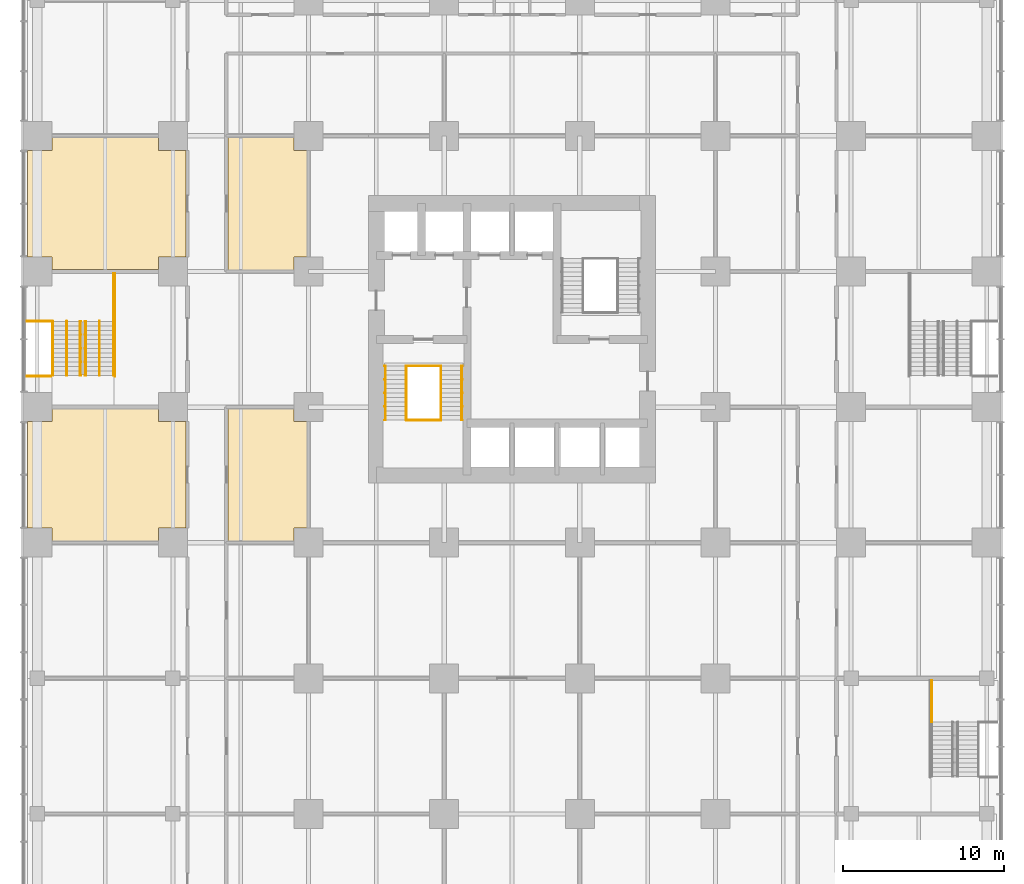
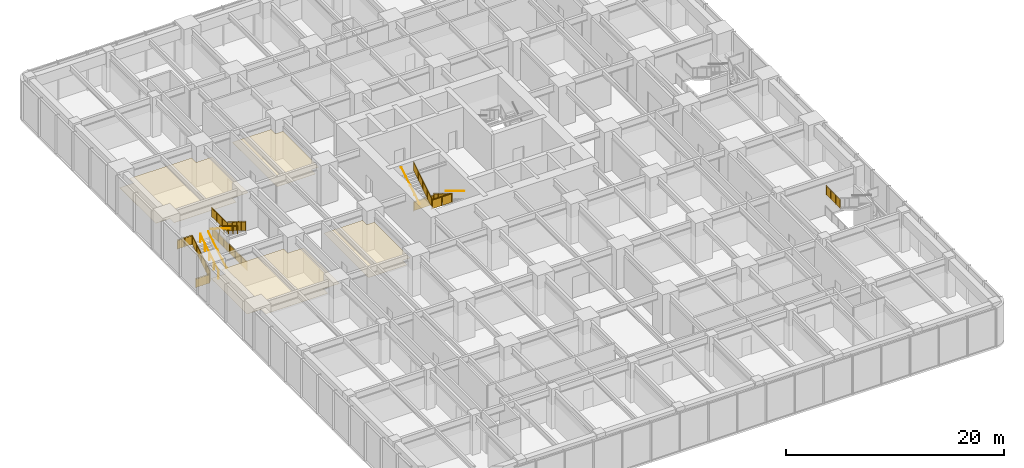
# One storey, part 17 of 19: 17 railings, 4 coverings.
"""IFC4 building model written with IfcOpenShell, lengths in metres."""

from ifc_helpers import new_model, si_unit, direction, frame, origin, origin_2d, place, context, subcontext, project, spatial, polyline, circle, outline, extrude, material, layer, layer_set, type_object, element, save


model = new_model("IFC4")

# Units and contexts
model_context = context("Model", 3, precision=1e-05, world=origin(), true_north=direction((0.0, 1.0)))
body_context = subcontext(model_context, "Body", "Model", "MODEL_VIEW")
ifc_project = project(units=[si_unit("LENGTHUNIT", "METRE"), si_unit("AREAUNIT", "SQUARE_METRE"), si_unit("VOLUMEUNIT", "CUBIC_METRE"), si_unit("PLANEANGLEUNIT", "RADIAN"), si_unit("MASSUNIT", "GRAM", prefix="KILO")], contexts=[model_context])

# Site, building, storey
site_placement = place(None, origin())
site = spatial("IfcSite", under=ifc_project, at=site_placement, CompositionType="ELEMENT")
building_placement = place(site_placement, origin())
building = spatial("IfcBuilding", under=site, at=building_placement, Name="Torre Alcanfor", CompositionType="ELEMENT")
storey_placement = place(building_placement, frame((0.0, 0.0, 6.0)))
storey = spatial("IfcBuildingStorey", under=building, at=storey_placement, Name="L01", CompositionType="ELEMENT", Elevation=6.0)

# Coverings
ifc_material_1 = material(Name="Mineral fibre acoustic tile 20 mm, NRC 0.70, on exposed suspension grid", Category="mineral fibre")
ifc_layer = layer(ifc_material_1, 0.02001953125)
ifc_layer_set = layer_set([ifc_layer], Name="Acoustic suspended ceiling 600x600 mineral fibre tile")
covering_type = type_object("IfcCoveringType", Name="Acoustic suspended ceiling 600x600 mineral fibre tile", PredefinedType="CEILING", material=ifc_layer_set)
covering_1_placement = place(storey_placement, frame((0.0, 0.0, 2.75)))
element("IfcCovering", 1, at=covering_1_placement, inside=storey, type_object=covering_type, Name="Ceiling L01-14", PredefinedType="CEILING", context=body_context, shape_type="SweptSolid", body=[
    extrude(outline(polyline([(0.89990234375, 25.074951171875), (0.89990234375, 24.300048828125), (-0.625, 24.300048828125), (-0.625, 17.699951171875), (0.89990234375, 17.699951171875), (0.89990234375, 16.875), (7.5, 16.875), (7.5, 17.699951171875), (9.199951171875, 17.699951171875), (9.199951171875, 24.300048828125), (7.5, 24.300048828125), (7.5, 25.074951171875), (0.89990234375, 25.074951171875)])), origin(), (0.0, 0.0, 1.0), 0.02001953125),
])
covering_2_placement = place(storey_placement, frame((0.0, 0.0, 2.75)))
element("IfcCovering", 2, at=covering_2_placement, inside=storey, type_object=covering_type, Name="Ceiling L01-16", PredefinedType="CEILING", context=body_context, shape_type="SweptSolid", body=[
    extrude(outline(polyline([(0.89990234375, 41.925048828125), (0.89990234375, 41.10009765625), (-0.625, 41.10009765625), (-0.625, 34.5), (0.89990234375, 34.5), (0.89990234375, 33.72509765625), (7.5, 33.72509765625), (7.5, 34.5), (9.199951171875, 34.5), (9.199951171875, 41.10009765625), (7.5, 41.10009765625), (7.5, 41.925048828125), (0.89990234375, 41.925048828125)])), origin(), (0.0, 0.0, 1.0), 0.02001953125),
])
covering_3_placement = place(storey_placement, frame((0.0, 0.0, 3.0)))
element("IfcCovering", 3, at=covering_3_placement, inside=storey, type_object=covering_type, Name="Ceiling L01-I08", PredefinedType="CEILING", context=body_context, shape_type="SweptSolid", body=[
    extrude(outline(polyline([(16.699951171875, 24.300048828125), (15.89990234375, 24.300048828125), (15.89990234375, 25.10009765625), (11.800048828125, 25.10009765625), (11.800048828125, 16.875), (15.89990234375, 16.875), (15.89990234375, 17.699951171875), (16.699951171875, 17.699951171875), (16.699951171875, 24.300048828125)])), origin(), (0.0, 0.0, 1.0), 0.02001953125),
])
covering_4_placement = place(storey_placement, frame((0.0, 0.0, 3.0)))
element("IfcCovering", 4, at=covering_4_placement, inside=storey, type_object=covering_type, Name="Ceiling L01-I10", PredefinedType="CEILING", context=body_context, shape_type="SweptSolid", body=[
    extrude(outline(polyline([(15.89990234375, 33.699951171875), (15.89990234375, 34.5), (16.699951171875, 34.5), (16.699951171875, 41.10009765625), (15.89990234375, 41.10009765625), (15.89990234375, 41.925048828125), (11.800048828125, 41.925048828125), (11.800048828125, 33.699951171875), (15.89990234375, 33.699951171875)])), origin(), (0.0, 0.0, 1.0), 0.02001953125),
])

# Railings
ifc_material_2 = material(Name="Steel ASTM A500 Grade C hollow sections", Category="steel")
railing_type_1 = type_object("IfcRailingType", Name="Stair guard and handrail 1100", PredefinedType="GUARDRAIL", material=ifc_material_2)
railing_1_placement = place(storey_placement, frame((25.0, 27.75, 0.173095703125)))
element("IfcRailing", 5, at=railing_1_placement, inside=storey, type_object=railing_type_1, Name="Stair guard S1 L01 flight 1", PredefinedType="GUARDRAIL", context=body_context, shape_type="SweptSolid", body=[
    extrude(circle(Radius=0.02392578125, at=origin_2d()), frame((0.0, 0.0, 1.076171875), z_axis=(0.0, -0.850623216509, 0.525775754039), x_axis=(1.0, 0.0, 0.0)), (0.0, 0.0, 1.0), 3.9501953125),
    extrude(circle(Radius=0.02099609375, at=origin_2d()), origin(), (0.0, 0.0, 1.0), 1.052001953125),
    extrude(circle(Radius=0.02099609375, at=origin_2d()), frame((0.0, -0.840087890625, 0.519287109375)), (0.0, 0.0, 1.0), 1.052001953125),
    extrude(circle(Radius=0.02099609375, at=origin_2d()), frame((0.0, -1.68017578125, 1.03857421875)), (0.0, 0.0, 1.0), 1.052001953125),
    extrude(circle(Radius=0.02099609375, at=origin_2d()), frame((0.0, -2.52001953125, 1.5576171875)), (0.0, 0.0, 1.0), 1.052001953125),
    extrude(circle(Radius=0.02099609375, at=origin_2d()), frame((0.0, -3.360107421875, 2.076904296875)), (0.0, 0.0, 1.0), 1.052001953125),
    extrude(outline(polyline([(0.041015625, 0.075439453125), (0.799072265625, 0.5439453125), (0.799072265625, 1.495849609375), (0.041015625, 1.02734375), (0.041015625, 0.075439453125)])), frame((0.005859375, 0.0, 0.0), z_axis=(-1.0, 0.0, 0.0), x_axis=(0.0, -1.0, 0.0)), (0.0, 0.0, 1.0), 0.011962890625),
    extrude(outline(polyline([(0.881103515625, 0.594482421875), (1.63916015625, 1.06298828125), (1.63916015625, 2.01513671875), (0.881103515625, 1.546630859375), (0.881103515625, 0.594482421875)])), frame((0.005859375, 0.0, 0.0), z_axis=(-1.0, 0.0, 0.0), x_axis=(0.0, -1.0, 0.0)), (0.0, 0.0, 1.0), 0.011962890625),
    extrude(outline(polyline([(1.720947265625, 1.11376953125), (2.47900390625, 1.582275390625), (2.47900390625, 2.534423828125), (1.720947265625, 2.065673828125), (1.720947265625, 1.11376953125)])), frame((0.005859375, 0.0, 0.0), z_axis=(-1.0, 0.0, 0.0), x_axis=(0.0, -1.0, 0.0)), (0.0, 0.0, 1.0), 0.011962890625),
    extrude(outline(polyline([(2.56103515625, 1.633056640625), (3.319091796875, 2.1015625), (3.319091796875, 3.053466796875), (2.56103515625, 2.5849609375), (2.56103515625, 1.633056640625)])), frame((0.005859375, 0.0, 0.0), z_axis=(-1.0, 0.0, 0.0), x_axis=(0.0, -1.0, 0.0)), (0.0, 0.0, 1.0), 0.011962890625),
])
railing_2_placement = place(storey_placement, frame((22.85009765625, 24.389892578125, 2.423095703125)))
element("IfcRailing", 6, at=railing_2_placement, inside=storey, type_object=railing_type_1, Name="Stair guard S1 L01 flight 2", PredefinedType="GUARDRAIL", context=body_context, shape_type="SweptSolid", body=[
    extrude(circle(Radius=0.02392578125, at=origin_2d()), frame((0.0, 0.0, 1.076171875), z_axis=(0.0, 0.850623216509, 0.525775754039), x_axis=(-1.0, 0.0, 0.0)), (0.0, 0.0, 1.0), 3.9501953125),
    extrude(circle(Radius=0.02099609375, at=origin_2d()), origin(), (0.0, 0.0, 1.0), 1.052001953125),
    extrude(circle(Radius=0.02099609375, at=origin_2d()), frame((0.0, 0.840087890625, 0.519287109375)), (0.0, 0.0, 1.0), 1.052001953125),
    extrude(circle(Radius=0.02099609375, at=origin_2d()), frame((0.0, 1.68017578125, 1.03857421875)), (0.0, 0.0, 1.0), 1.052001953125),
    extrude(circle(Radius=0.02099609375, at=origin_2d()), frame((0.0, 2.52001953125, 1.5576171875)), (0.0, 0.0, 1.0), 1.052001953125),
    extrude(circle(Radius=0.02099609375, at=origin_2d()), frame((0.0, 3.360107421875, 2.076904296875)), (0.0, 0.0, 1.0), 1.052001953125),
    extrude(outline(polyline([(0.041015625, 0.075439453125), (0.799072265625, 0.5439453125), (0.799072265625, 1.495849609375), (0.041015625, 1.02734375), (0.041015625, 0.075439453125)])), frame((-0.005859375, 0.0, 0.0), z_axis=(1.0, 0.0, 0.0), x_axis=(0.0, 1.0, 0.0)), (0.0, 0.0, 1.0), 0.011962890625),
    extrude(outline(polyline([(0.881103515625, 0.594482421875), (1.63916015625, 1.06298828125), (1.63916015625, 2.01513671875), (0.881103515625, 1.546630859375), (0.881103515625, 0.594482421875)])), frame((-0.005859375, 0.0, 0.0), z_axis=(1.0, 0.0, 0.0), x_axis=(0.0, 1.0, 0.0)), (0.0, 0.0, 1.0), 0.011962890625),
    extrude(outline(polyline([(1.720947265625, 1.11376953125), (2.47900390625, 1.582275390625), (2.47900390625, 2.534423828125), (1.720947265625, 2.065673828125), (1.720947265625, 1.11376953125)])), frame((-0.005859375, 0.0, 0.0), z_axis=(1.0, 0.0, 0.0), x_axis=(0.0, 1.0, 0.0)), (0.0, 0.0, 1.0), 0.011962890625),
    extrude(outline(polyline([(2.56103515625, 1.633056640625), (3.319091796875, 2.1015625), (3.319091796875, 3.053466796875), (2.56103515625, 2.5849609375), (2.56103515625, 1.633056640625)])), frame((-0.005859375, 0.0, 0.0), z_axis=(1.0, 0.0, 0.0), x_axis=(0.0, 1.0, 0.0)), (0.0, 0.0, 1.0), 0.011962890625),
])
for number, where, name in (
    (7, (22.85009765625, 27.75, 0.0), "Stair well guard S1 L01 floor landing"),
    (8, (22.85009765625, 24.389892578125, 2.25), "Stair well guard S1 L01 half landing"),
):
    element("IfcRailing", number, at=place(storey_placement, frame(where)), inside=storey, type_object=railing_type_1, Name=name, PredefinedType="GUARDRAIL", context=body_context, shape_type="SweptSolid", body=[
        extrude(circle(Radius=0.02392578125, at=origin_2d()), frame((0.0, 0.0, 1.076171875), z_axis=(1.0, 0.0, 0.0), x_axis=(0.0, 1.0, 0.0)), (0.0, 0.0, 1.0), 2.14990234375),
        extrude(circle(Radius=0.02099609375, at=origin_2d()), origin(), (0.0, 0.0, 1.0), 1.052001953125),
        extrude(circle(Radius=0.02099609375, at=origin_2d()), frame((1.074951171875, 0.0, 0.0)), (0.0, 0.0, 1.0), 1.052001953125),
        extrude(circle(Radius=0.02099609375, at=origin_2d()), frame((2.14990234375, 0.0, 0.0)), (0.0, 0.0, 1.0), 1.052001953125),
        extrude(outline(polyline([(0.041015625, 0.050048828125), (1.033935546875, 0.050048828125), (1.033935546875, 1.001953125), (0.041015625, 1.001953125), (0.041015625, 0.050048828125)])), frame((0.0, 0.005859375, 0.0), z_axis=(0.0, -1.0, 0.0), x_axis=(1.0, 0.0, 0.0)), (0.0, 0.0, 1.0), 0.011962890625),
        extrude(outline(polyline([(1.115966796875, 0.050048828125), (2.10888671875, 0.050048828125), (2.10888671875, 1.001953125), (1.115966796875, 1.001953125), (1.115966796875, 0.050048828125)])), frame((0.0, 0.005859375, 0.0), z_axis=(0.0, -1.0, 0.0), x_axis=(1.0, 0.0, 0.0)), (0.0, 0.0, 1.0), 0.011962890625),
    ])
railing_3_placement = place(storey_placement, frame((4.81005859375, 27.10498046875, 0.0)))
element("IfcRailing", 9, at=railing_3_placement, inside=storey, type_object=railing_type_1, Name="Stair well guard SS1 L01 door side", PredefinedType="GUARDRAIL", context=body_context, shape_type="SweptSolid", body=[
    extrude(circle(Radius=0.02392578125, at=origin_2d()), frame((0.0, 0.0, 1.076171875), z_axis=(0.0, 1.0, 0.0), x_axis=(-1.0, 0.0, 0.0)), (0.0, 0.0, 1.0), 6.360107421875),
    extrude(circle(Radius=0.02099609375, at=origin_2d()), origin(), (0.0, 0.0, 1.0), 1.052001953125),
    extrude(circle(Radius=0.02099609375, at=origin_2d()), frame((0.0, 1.06005859375, 0.0)), (0.0, 0.0, 1.0), 1.052001953125),
    extrude(circle(Radius=0.02099609375, at=origin_2d()), frame((0.0, 2.1201171875, 0.0)), (0.0, 0.0, 1.0), 1.052001953125),
    extrude(circle(Radius=0.02099609375, at=origin_2d()), frame((0.0, 3.18017578125, 0.0)), (0.0, 0.0, 1.0), 1.052001953125),
    extrude(circle(Radius=0.02099609375, at=origin_2d()), frame((0.0, 4.239990234375, 0.0)), (0.0, 0.0, 1.0), 1.052001953125),
    extrude(circle(Radius=0.02099609375, at=origin_2d()), frame((0.0, 5.300048828125, 0.0)), (0.0, 0.0, 1.0), 1.052001953125),
    extrude(circle(Radius=0.02099609375, at=origin_2d()), frame((0.0, 6.360107421875, 0.0)), (0.0, 0.0, 1.0), 1.052001953125),
    extrude(outline(polyline([(0.041015625, 0.050048828125), (1.01904296875, 0.050048828125), (1.01904296875, 1.001953125), (0.041015625, 1.001953125), (0.041015625, 0.050048828125)])), frame((-0.005859375, 0.0, 0.0), z_axis=(1.0, 0.0, 0.0), x_axis=(0.0, 1.0, 0.0)), (0.0, 0.0, 1.0), 0.011962890625),
    extrude(outline(polyline([(1.10107421875, 0.050048828125), (2.0791015625, 0.050048828125), (2.0791015625, 1.001953125), (1.10107421875, 1.001953125), (1.10107421875, 0.050048828125)])), frame((-0.005859375, 0.0, 0.0), z_axis=(1.0, 0.0, 0.0), x_axis=(0.0, 1.0, 0.0)), (0.0, 0.0, 1.0), 0.011962890625),
    extrude(outline(polyline([(2.1611328125, 0.050048828125), (3.13916015625, 0.050048828125), (3.13916015625, 1.001953125), (2.1611328125, 1.001953125), (2.1611328125, 0.050048828125)])), frame((-0.005859375, 0.0, 0.0), z_axis=(1.0, 0.0, 0.0), x_axis=(0.0, 1.0, 0.0)), (0.0, 0.0, 1.0), 0.011962890625),
    extrude(outline(polyline([(3.220947265625, 0.050048828125), (4.198974609375, 0.050048828125), (4.198974609375, 1.001953125), (3.220947265625, 1.001953125), (3.220947265625, 0.050048828125)])), frame((-0.005859375, 0.0, 0.0), z_axis=(1.0, 0.0, 0.0), x_axis=(0.0, 1.0, 0.0)), (0.0, 0.0, 1.0), 0.011962890625),
    extrude(outline(polyline([(4.281005859375, 0.050048828125), (5.259033203125, 0.050048828125), (5.259033203125, 1.001953125), (4.281005859375, 1.001953125), (4.281005859375, 0.050048828125)])), frame((-0.005859375, 0.0, 0.0), z_axis=(1.0, 0.0, 0.0), x_axis=(0.0, 1.0, 0.0)), (0.0, 0.0, 1.0), 0.011962890625),
    extrude(outline(polyline([(5.341064453125, 0.050048828125), (6.319091796875, 0.050048828125), (6.319091796875, 1.001953125), (5.341064453125, 1.001953125), (5.341064453125, 0.050048828125)])), frame((-0.005859375, 0.0, 0.0), z_axis=(1.0, 0.0, 0.0), x_axis=(0.0, 1.0, 0.0)), (0.0, 0.0, 1.0), 0.011962890625),
])
railing_4_placement = place(storey_placement, frame((-0.64990234375, 27.10498046875, 0.0)))
element("IfcRailing", 10, at=railing_4_placement, inside=storey, type_object=railing_type_1, Name="Stair well guard SS1 L01 facade strip", PredefinedType="GUARDRAIL", context=body_context, shape_type="SweptSolid", body=[
    extrude(circle(Radius=0.02392578125, at=origin_2d()), frame((0.0, 0.0, 1.076171875), z_axis=(1.0, 0.0, 0.0), x_axis=(0.0, 1.0, 0.0)), (0.0, 0.0, 1.0), 1.5),
    extrude(circle(Radius=0.02099609375, at=origin_2d()), origin(), (0.0, 0.0, 1.0), 1.052001953125),
    extrude(circle(Radius=0.02099609375, at=origin_2d()), frame((0.75, 0.0, 0.0)), (0.0, 0.0, 1.0), 1.052001953125),
    extrude(circle(Radius=0.02099609375, at=origin_2d()), frame((1.5, 0.0, 0.0)), (0.0, 0.0, 1.0), 1.052001953125),
    extrude(outline(polyline([(0.041015625, 0.050048828125), (0.708984375, 0.050048828125), (0.708984375, 1.001953125), (0.041015625, 1.001953125), (0.041015625, 0.050048828125)])), frame((0.0, 0.005859375, 0.0), z_axis=(0.0, -1.0, 0.0), x_axis=(1.0, 0.0, 0.0)), (0.0, 0.0, 1.0), 0.011962890625),
    extrude(outline(polyline([(0.791015625, 0.050048828125), (1.458984375, 0.050048828125), (1.458984375, 1.001953125), (0.791015625, 1.001953125), (0.791015625, 0.050048828125)])), frame((0.0, 0.005859375, 0.0), z_axis=(0.0, -1.0, 0.0), x_axis=(1.0, 0.0, 0.0)), (0.0, 0.0, 1.0), 0.011962890625),
])
railing_5_placement = place(storey_placement, frame((0.949951171875, 27.155029296875, 0.173095703125)))
element("IfcRailing", 11, at=railing_5_placement, inside=storey, type_object=railing_type_1, Name="Stair guard SS1 L01 flight 1", PredefinedType="GUARDRAIL", context=body_context, shape_type="SweptSolid", body=[
    extrude(circle(Radius=0.02392578125, at=origin_2d()), frame((0.0, 0.0, 1.076171875), z_axis=(0.0, 0.850606129759, 0.525803396734), x_axis=(-1.0, 0.0, 0.0)), (0.0, 0.0, 1.0), 3.949951171875),
    extrude(circle(Radius=0.02099609375, at=origin_2d()), origin(), (0.0, 0.0, 1.0), 1.052001953125),
    extrude(circle(Radius=0.02099609375, at=origin_2d()), frame((0.0, 0.83984375, 0.519287109375)), (0.0, 0.0, 1.0), 1.052001953125),
    extrude(circle(Radius=0.02099609375, at=origin_2d()), frame((0.0, 1.679931640625, 1.03857421875)), (0.0, 0.0, 1.0), 1.052001953125),
    extrude(circle(Radius=0.02099609375, at=origin_2d()), frame((0.0, 2.52001953125, 1.5576171875)), (0.0, 0.0, 1.0), 1.052001953125),
    extrude(circle(Radius=0.02099609375, at=origin_2d()), frame((0.0, 3.35986328125, 2.076904296875)), (0.0, 0.0, 1.0), 1.052001953125),
    extrude(outline(polyline([(0.041015625, 0.075439453125), (0.799072265625, 0.5439453125), (0.799072265625, 1.495849609375), (0.041015625, 1.02734375), (0.041015625, 0.075439453125)])), frame((-0.005859375, 0.0, 0.0), z_axis=(1.0, 0.0, 0.0), x_axis=(0.0, 1.0, 0.0)), (0.0, 0.0, 1.0), 0.011962890625),
    extrude(outline(polyline([(0.880859375, 0.594482421875), (1.638916015625, 1.06298828125), (1.638916015625, 2.01513671875), (0.880859375, 1.546630859375), (0.880859375, 0.594482421875)])), frame((-0.005859375, 0.0, 0.0), z_axis=(1.0, 0.0, 0.0), x_axis=(0.0, 1.0, 0.0)), (0.0, 0.0, 1.0), 0.011962890625),
    extrude(outline(polyline([(1.720947265625, 1.11376953125), (2.47900390625, 1.582275390625), (2.47900390625, 2.534423828125), (1.720947265625, 2.06591796875), (1.720947265625, 1.11376953125)])), frame((-0.005859375, 0.0, 0.0), z_axis=(1.0, 0.0, 0.0), x_axis=(0.0, 1.0, 0.0)), (0.0, 0.0, 1.0), 0.011962890625),
    extrude(outline(polyline([(2.560791015625, 1.633056640625), (3.31884765625, 2.1015625), (3.31884765625, 3.053466796875), (2.560791015625, 2.5849609375), (2.560791015625, 1.633056640625)])), frame((-0.005859375, 0.0, 0.0), z_axis=(1.0, 0.0, 0.0), x_axis=(0.0, 1.0, 0.0)), (0.0, 0.0, 1.0), 0.011962890625),
])
railing_6_placement = place(storey_placement, frame((4.7099609375, 30.514892578125, 2.423095703125)))
element("IfcRailing", 12, at=railing_6_placement, inside=storey, type_object=railing_type_1, Name="Stair guard SS1 L01 flight 2", PredefinedType="GUARDRAIL", context=body_context, shape_type="SweptSolid", body=[
    extrude(circle(Radius=0.02392578125, at=origin_2d()), frame((0.0, 0.0, 1.076171875), z_axis=(0.0, -0.850606129759, 0.525803396734), x_axis=(1.0, 0.0, 0.0)), (0.0, 0.0, 1.0), 3.949951171875),
    extrude(circle(Radius=0.02099609375, at=origin_2d()), origin(), (0.0, 0.0, 1.0), 1.052001953125),
    extrude(circle(Radius=0.02099609375, at=origin_2d()), frame((0.0, -0.83984375, 0.519287109375)), (0.0, 0.0, 1.0), 1.052001953125),
    extrude(circle(Radius=0.02099609375, at=origin_2d()), frame((0.0, -1.679931640625, 1.03857421875)), (0.0, 0.0, 1.0), 1.052001953125),
    extrude(circle(Radius=0.02099609375, at=origin_2d()), frame((0.0, -2.52001953125, 1.5576171875)), (0.0, 0.0, 1.0), 1.052001953125),
    extrude(circle(Radius=0.02099609375, at=origin_2d()), frame((0.0, -3.35986328125, 2.076904296875)), (0.0, 0.0, 1.0), 1.052001953125),
    extrude(outline(polyline([(0.041015625, 0.075439453125), (0.799072265625, 0.5439453125), (0.799072265625, 1.495849609375), (0.041015625, 1.02734375), (0.041015625, 0.075439453125)])), frame((0.005859375, 0.0, 0.0), z_axis=(-1.0, 0.0, 0.0), x_axis=(0.0, -1.0, 0.0)), (0.0, 0.0, 1.0), 0.011962890625),
    extrude(outline(polyline([(0.880859375, 0.594482421875), (1.638916015625, 1.06298828125), (1.638916015625, 2.01513671875), (0.880859375, 1.546630859375), (0.880859375, 0.594482421875)])), frame((0.005859375, 0.0, 0.0), z_axis=(-1.0, 0.0, 0.0), x_axis=(0.0, -1.0, 0.0)), (0.0, 0.0, 1.0), 0.011962890625),
    extrude(outline(polyline([(1.720947265625, 1.11376953125), (2.47900390625, 1.582275390625), (2.47900390625, 2.534423828125), (1.720947265625, 2.06591796875), (1.720947265625, 1.11376953125)])), frame((0.005859375, 0.0, 0.0), z_axis=(-1.0, 0.0, 0.0), x_axis=(0.0, -1.0, 0.0)), (0.0, 0.0, 1.0), 0.011962890625),
    extrude(outline(polyline([(2.560791015625, 1.633056640625), (3.31884765625, 2.1015625), (3.31884765625, 3.053466796875), (2.560791015625, 2.5849609375), (2.560791015625, 1.633056640625)])), frame((0.005859375, 0.0, 0.0), z_axis=(-1.0, 0.0, 0.0), x_axis=(0.0, -1.0, 0.0)), (0.0, 0.0, 1.0), 0.011962890625),
])
railing_7_placement = place(storey_placement, frame((-0.64990234375, 30.514892578125, 2.25)))
element("IfcRailing", 13, at=railing_7_placement, inside=storey, type_object=railing_type_1, Name="Stair guard SS1 L01 half landing facade strip", PredefinedType="GUARDRAIL", context=body_context, shape_type="SweptSolid", body=[
    extrude(circle(Radius=0.02392578125, at=origin_2d()), frame((0.0, 0.0, 1.076171875), z_axis=(1.0, 0.0, 0.0), x_axis=(0.0, 1.0, 0.0)), (0.0, 0.0, 1.0), 1.5498046875),
    extrude(circle(Radius=0.02099609375, at=origin_2d()), origin(), (0.0, 0.0, 1.0), 1.052001953125),
    extrude(circle(Radius=0.02099609375, at=origin_2d()), frame((0.77490234375, 0.0, 0.0)), (0.0, 0.0, 1.0), 1.052001953125),
    extrude(circle(Radius=0.02099609375, at=origin_2d()), frame((1.5498046875, 0.0, 0.0)), (0.0, 0.0, 1.0), 1.052001953125),
    extrude(outline(polyline([(0.041015625, 0.050048828125), (0.73388671875, 0.050048828125), (0.73388671875, 1.001953125), (0.041015625, 1.001953125), (0.041015625, 0.050048828125)])), frame((0.0, 0.005859375, 0.0), z_axis=(0.0, -1.0, 0.0), x_axis=(1.0, 0.0, 0.0)), (0.0, 0.0, 1.0), 0.011962890625),
    extrude(outline(polyline([(0.81591796875, 0.050048828125), (1.5087890625, 0.050048828125), (1.5087890625, 1.001953125), (0.81591796875, 1.001953125), (0.81591796875, 0.050048828125)])), frame((0.0, 0.005859375, 0.0), z_axis=(0.0, -1.0, 0.0), x_axis=(1.0, 0.0, 0.0)), (0.0, 0.0, 1.0), 0.011962890625),
])
railing_8_placement = place(storey_placement, frame((4.7099609375, 30.514892578125, 2.25)))
element("IfcRailing", 14, at=railing_8_placement, inside=storey, type_object=railing_type_1, Name="Stair guard SS1 L01 half landing", PredefinedType="GUARDRAIL", context=body_context, shape_type="SweptSolid", body=[
    extrude(circle(Radius=0.02392578125, at=origin_2d()), frame((0.0, 0.0, 1.076171875), z_axis=(0.0, 1.0, 0.0), x_axis=(-1.0, 0.0, 0.0)), (0.0, 0.0, 1.0), 2.9501953125),
    extrude(circle(Radius=0.02099609375, at=origin_2d()), origin(), (0.0, 0.0, 1.0), 1.052001953125),
    extrude(circle(Radius=0.02099609375, at=origin_2d()), frame((0.0, 0.9833984375, 0.0)), (0.0, 0.0, 1.0), 1.052001953125),
    extrude(circle(Radius=0.02099609375, at=origin_2d()), frame((0.0, 1.966796875, 0.0)), (0.0, 0.0, 1.0), 1.052001953125),
    extrude(circle(Radius=0.02099609375, at=origin_2d()), frame((0.0, 2.9501953125, 0.0)), (0.0, 0.0, 1.0), 1.052001953125),
    extrude(outline(polyline([(0.041015625, 0.050048828125), (0.9423828125, 0.050048828125), (0.9423828125, 1.001953125), (0.041015625, 1.001953125), (0.041015625, 0.050048828125)])), frame((-0.005859375, 0.0, 0.0), z_axis=(1.0, 0.0, 0.0), x_axis=(0.0, 1.0, 0.0)), (0.0, 0.0, 1.0), 0.011962890625),
    extrude(outline(polyline([(1.0244140625, 0.050048828125), (1.92578125, 0.050048828125), (1.92578125, 1.001953125), (1.0244140625, 1.001953125), (1.0244140625, 0.050048828125)])), frame((-0.005859375, 0.0, 0.0), z_axis=(1.0, 0.0, 0.0), x_axis=(0.0, 1.0, 0.0)), (0.0, 0.0, 1.0), 0.011962890625),
    extrude(outline(polyline([(2.0078125, 0.050048828125), (2.9091796875, 0.050048828125), (2.9091796875, 1.001953125), (2.0078125, 1.001953125), (2.0078125, 0.050048828125)])), frame((-0.005859375, 0.0, 0.0), z_axis=(1.0, 0.0, 0.0), x_axis=(0.0, 1.0, 0.0)), (0.0, 0.0, 1.0), 0.011962890625),
])
railing_9_placement = place(storey_placement, frame((55.39990234375, 5.68505859375, 2.25)))
element("IfcRailing", 15, at=railing_9_placement, inside=storey, type_object=railing_type_1, Name="Stair guard SS3 L01 half landing", PredefinedType="GUARDRAIL", context=body_context, shape_type="SweptSolid", body=[
    extrude(circle(Radius=0.02392578125, at=origin_2d()), frame((0.0, 0.0, 1.076171875), z_axis=(0.0, 1.0, 0.0), x_axis=(-1.0, 0.0, 0.0)), (0.0, 0.0, 1.0), 2.579833984375),
    extrude(circle(Radius=0.02099609375, at=origin_2d()), origin(), (0.0, 0.0, 1.0), 1.052001953125),
    extrude(circle(Radius=0.02099609375, at=origin_2d()), frame((0.0, 0.85986328125, 0.0)), (0.0, 0.0, 1.0), 1.052001953125),
    extrude(circle(Radius=0.02099609375, at=origin_2d()), frame((0.0, 1.719970703125, 0.0)), (0.0, 0.0, 1.0), 1.052001953125),
    extrude(circle(Radius=0.02099609375, at=origin_2d()), frame((0.0, 2.579833984375, 0.0)), (0.0, 0.0, 1.0), 1.052001953125),
    extrude(outline(polyline([(0.041015625, 0.050048828125), (0.81884765625, 0.050048828125), (0.81884765625, 1.001953125), (0.041015625, 1.001953125), (0.041015625, 0.050048828125)])), frame((-0.005859375, 0.0, 0.0), z_axis=(1.0, 0.0, 0.0), x_axis=(0.0, 1.0, 0.0)), (0.0, 0.0, 1.0), 0.011962890625),
    extrude(outline(polyline([(0.90087890625, 0.050048828125), (1.678955078125, 0.050048828125), (1.678955078125, 1.001953125), (0.90087890625, 1.001953125), (0.90087890625, 0.050048828125)])), frame((-0.005859375, 0.0, 0.0), z_axis=(1.0, 0.0, 0.0), x_axis=(0.0, 1.0, 0.0)), (0.0, 0.0, 1.0), 0.011962890625),
    extrude(outline(polyline([(1.760986328125, 0.050048828125), (2.538818359375, 0.050048828125), (2.538818359375, 1.001953125), (1.760986328125, 1.001953125), (1.760986328125, 0.050048828125)])), frame((-0.005859375, 0.0, 0.0), z_axis=(1.0, 0.0, 0.0), x_axis=(0.0, 1.0, 0.0)), (0.0, 0.0, 1.0), 0.011962890625),
])
ifc_material_3 = material(Name="Steel ASTM A500 Grade C hollow sections", Category="steel")
railing_type_2 = type_object("IfcRailingType", Name="Stair intermediate handrail 900", PredefinedType="HANDRAIL", material=ifc_material_3)
railing_10_placement = place(storey_placement, frame((1.81494140625, 27.155029296875, 0.173095703125)))
element("IfcRailing", 16, at=railing_10_placement, inside=storey, type_object=railing_type_2, Name="Stair intermediate handrail SS1 L01 flight 1 rail 1", PredefinedType="HANDRAIL", context=body_context, shape_type="SweptSolid", body=[
    extrude(circle(Radius=0.02392578125, at=origin_2d()), frame((0.0, 0.0, 0.8759765625), z_axis=(0.0, 0.850606129759, 0.525803396734), x_axis=(-1.0, 0.0, 0.0)), (0.0, 0.0, 1.0), 3.949951171875),
    extrude(circle(Radius=0.02099609375, at=origin_2d()), origin(), (0.0, 0.0, 1.0), 0.851806640625),
    extrude(circle(Radius=0.02099609375, at=origin_2d()), frame((0.0, 0.83984375, 0.519287109375)), (0.0, 0.0, 1.0), 0.851806640625),
    extrude(circle(Radius=0.02099609375, at=origin_2d()), frame((0.0, 1.679931640625, 1.03857421875)), (0.0, 0.0, 1.0), 0.851806640625),
    extrude(circle(Radius=0.02099609375, at=origin_2d()), frame((0.0, 2.52001953125, 1.5576171875)), (0.0, 0.0, 1.0), 0.851806640625),
    extrude(circle(Radius=0.02099609375, at=origin_2d()), frame((0.0, 3.35986328125, 2.076904296875)), (0.0, 0.0, 1.0), 0.851806640625),
])
railing_11_placement = place(storey_placement, frame((3.844970703125, 30.514892578125, 2.423095703125)))
element("IfcRailing", 17, at=railing_11_placement, inside=storey, type_object=railing_type_2, Name="Stair intermediate handrail SS1 L01 flight 2 rail 1", PredefinedType="HANDRAIL", context=body_context, shape_type="SweptSolid", body=[
    extrude(circle(Radius=0.02392578125, at=origin_2d()), frame((0.0, 0.0, 0.8759765625), z_axis=(0.0, -0.850606129759, 0.525803396734), x_axis=(1.0, 0.0, 0.0)), (0.0, 0.0, 1.0), 3.949951171875),
    extrude(circle(Radius=0.02099609375, at=origin_2d()), origin(), (0.0, 0.0, 1.0), 0.851806640625),
    extrude(circle(Radius=0.02099609375, at=origin_2d()), frame((0.0, -0.83984375, 0.519287109375)), (0.0, 0.0, 1.0), 0.851806640625),
    extrude(circle(Radius=0.02099609375, at=origin_2d()), frame((0.0, -1.679931640625, 1.03857421875)), (0.0, 0.0, 1.0), 0.851806640625),
    extrude(circle(Radius=0.02099609375, at=origin_2d()), frame((0.0, -2.52001953125, 1.5576171875)), (0.0, 0.0, 1.0), 0.851806640625),
    extrude(circle(Radius=0.02099609375, at=origin_2d()), frame((0.0, -3.35986328125, 2.076904296875)), (0.0, 0.0, 1.0), 0.851806640625),
])
ifc_material_4 = material(Name="Steel ASTM A500 Grade C hollow sections", Category="steel")
railing_type_3 = type_object("IfcRailingType", Name="Stair wall handrail 900", PredefinedType="HANDRAIL", material=ifc_material_4)
railing_12_placement = place(storey_placement, frame((26.284912109375, 27.75, 0.173095703125)))
element("IfcRailing", 18, at=railing_12_placement, inside=storey, type_object=railing_type_3, Name="Stair handrail S1 L01 flight 1", PredefinedType="HANDRAIL", context=body_context, shape_type="SweptSolid", body=[
    extrude(circle(Radius=0.02392578125, at=origin_2d()), frame((0.0, 0.0, 0.8759765625), z_axis=(0.0, -0.850623216509, 0.525775754039), x_axis=(1.0, 0.0, 0.0)), (0.0, 0.0, 1.0), 3.9501953125),
    extrude(circle(Radius=0.008056640625, at=origin_2d()), frame((0.0, 0.0, 0.8759765625), z_axis=(1.0, 0.0, 0.0), x_axis=(0.0, 0.0, 1.0)), (0.0, 0.0, 1.0), 0.06494140625),
    extrude(circle(Radius=0.008056640625, at=origin_2d()), frame((0.0, -0.840087890625, 1.39501953125), z_axis=(1.0, 0.0, 0.0), x_axis=(0.0, 0.0, 1.0)), (0.0, 0.0, 1.0), 0.06494140625),
    extrude(circle(Radius=0.008056640625, at=origin_2d()), frame((0.0, -1.68017578125, 1.914306640625), z_axis=(1.0, 0.0, 0.0), x_axis=(0.0, 0.0, 1.0)), (0.0, 0.0, 1.0), 0.06494140625),
    extrude(circle(Radius=0.008056640625, at=origin_2d()), frame((0.0, -2.52001953125, 2.43359375), z_axis=(1.0, 0.0, 0.0), x_axis=(0.0, 0.0, 1.0)), (0.0, 0.0, 1.0), 0.06494140625),
    extrude(circle(Radius=0.008056640625, at=origin_2d()), frame((0.0, -3.360107421875, 2.95263671875), z_axis=(1.0, 0.0, 0.0), x_axis=(0.0, 0.0, 1.0)), (0.0, 0.0, 1.0), 0.06494140625),
])
railing_13_placement = place(storey_placement, frame((21.56494140625, 24.389892578125, 2.423095703125)))
element("IfcRailing", 19, at=railing_13_placement, inside=storey, type_object=railing_type_3, Name="Stair handrail S1 L01 flight 2", PredefinedType="HANDRAIL", context=body_context, shape_type="SweptSolid", body=[
    extrude(circle(Radius=0.02392578125, at=origin_2d()), frame((0.0, 0.0, 0.8759765625), z_axis=(0.0, 0.850623216509, 0.525775754039), x_axis=(-1.0, 0.0, 0.0)), (0.0, 0.0, 1.0), 3.9501953125),
    extrude(circle(Radius=0.008056640625, at=origin_2d()), frame((0.0, 0.0, 0.8759765625), z_axis=(-1.0, 0.0, 0.0), x_axis=(0.0, 0.0, 1.0)), (0.0, 0.0, 1.0), 0.06494140625),
    extrude(circle(Radius=0.008056640625, at=origin_2d()), frame((0.0, 0.840087890625, 1.39501953125), z_axis=(-1.0, 0.0, 0.0), x_axis=(0.0, 0.0, 1.0)), (0.0, 0.0, 1.0), 0.06494140625),
    extrude(circle(Radius=0.008056640625, at=origin_2d()), frame((0.0, 1.68017578125, 1.914306640625), z_axis=(-1.0, 0.0, 0.0), x_axis=(0.0, 0.0, 1.0)), (0.0, 0.0, 1.0), 0.06494140625),
    extrude(circle(Radius=0.008056640625, at=origin_2d()), frame((0.0, 2.52001953125, 2.43359375), z_axis=(-1.0, 0.0, 0.0), x_axis=(0.0, 0.0, 1.0)), (0.0, 0.0, 1.0), 0.06494140625),
    extrude(circle(Radius=0.008056640625, at=origin_2d()), frame((0.0, 3.360107421875, 2.95263671875), z_axis=(-1.0, 0.0, 0.0), x_axis=(0.0, 0.0, 1.0)), (0.0, 0.0, 1.0), 0.06494140625),
])
railing_14_placement = place(storey_placement, frame((2.6650390625, 27.155029296875, 0.173095703125)))
element("IfcRailing", 20, at=railing_14_placement, inside=storey, type_object=railing_type_3, Name="Stair handrail SS1 L01 flight 1", PredefinedType="HANDRAIL", context=body_context, shape_type="SweptSolid", body=[
    extrude(circle(Radius=0.02392578125, at=origin_2d()), frame((0.0, 0.0, 0.8759765625), z_axis=(0.0, 0.850606129759, 0.525803396734), x_axis=(-1.0, 0.0, 0.0)), (0.0, 0.0, 1.0), 3.949951171875),
    extrude(circle(Radius=0.008056640625, at=origin_2d()), frame((0.0, 0.0, 0.8759765625), z_axis=(1.0, 0.0, 0.0), x_axis=(0.0, 0.0, 1.0)), (0.0, 0.0, 1.0), 0.06494140625),
    extrude(circle(Radius=0.008056640625, at=origin_2d()), frame((0.0, 0.83984375, 1.39501953125), z_axis=(1.0, 0.0, 0.0), x_axis=(0.0, 0.0, 1.0)), (0.0, 0.0, 1.0), 0.06494140625),
    extrude(circle(Radius=0.008056640625, at=origin_2d()), frame((0.0, 1.679931640625, 1.914306640625), z_axis=(1.0, 0.0, 0.0), x_axis=(0.0, 0.0, 1.0)), (0.0, 0.0, 1.0), 0.06494140625),
    extrude(circle(Radius=0.008056640625, at=origin_2d()), frame((0.0, 2.52001953125, 2.43359375), z_axis=(1.0, 0.0, 0.0), x_axis=(0.0, 0.0, 1.0)), (0.0, 0.0, 1.0), 0.06494140625),
    extrude(circle(Radius=0.008056640625, at=origin_2d()), frame((0.0, 3.35986328125, 2.95263671875), z_axis=(1.0, 0.0, 0.0), x_axis=(0.0, 0.0, 1.0)), (0.0, 0.0, 1.0), 0.06494140625),
])
railing_15_placement = place(storey_placement, frame((2.9951171875, 30.514892578125, 2.423095703125)))
element("IfcRailing", 21, at=railing_15_placement, inside=storey, type_object=railing_type_3, Name="Stair handrail SS1 L01 flight 2", PredefinedType="HANDRAIL", context=body_context, shape_type="SweptSolid", body=[
    extrude(circle(Radius=0.02392578125, at=origin_2d()), frame((0.0, 0.0, 0.8759765625), z_axis=(0.0, -0.850606129759, 0.525803396734), x_axis=(1.0, 0.0, 0.0)), (0.0, 0.0, 1.0), 3.949951171875),
    extrude(circle(Radius=0.008056640625, at=origin_2d()), frame((0.0, 0.0, 0.8759765625), z_axis=(-1.0, 0.0, 0.0), x_axis=(0.0, 0.0, 1.0)), (0.0, 0.0, 1.0), 0.06494140625),
    extrude(circle(Radius=0.008056640625, at=origin_2d()), frame((0.0, -0.83984375, 1.39501953125), z_axis=(-1.0, 0.0, 0.0), x_axis=(0.0, 0.0, 1.0)), (0.0, 0.0, 1.0), 0.06494140625),
    extrude(circle(Radius=0.008056640625, at=origin_2d()), frame((0.0, -1.679931640625, 1.914306640625), z_axis=(-1.0, 0.0, 0.0), x_axis=(0.0, 0.0, 1.0)), (0.0, 0.0, 1.0), 0.06494140625),
    extrude(circle(Radius=0.008056640625, at=origin_2d()), frame((0.0, -2.52001953125, 2.43359375), z_axis=(-1.0, 0.0, 0.0), x_axis=(0.0, 0.0, 1.0)), (0.0, 0.0, 1.0), 0.06494140625),
    extrude(circle(Radius=0.008056640625, at=origin_2d()), frame((0.0, -3.35986328125, 2.95263671875), z_axis=(-1.0, 0.0, 0.0), x_axis=(0.0, 0.0, 1.0)), (0.0, 0.0, 1.0), 0.06494140625),
])

save(model, "model.ifc")
